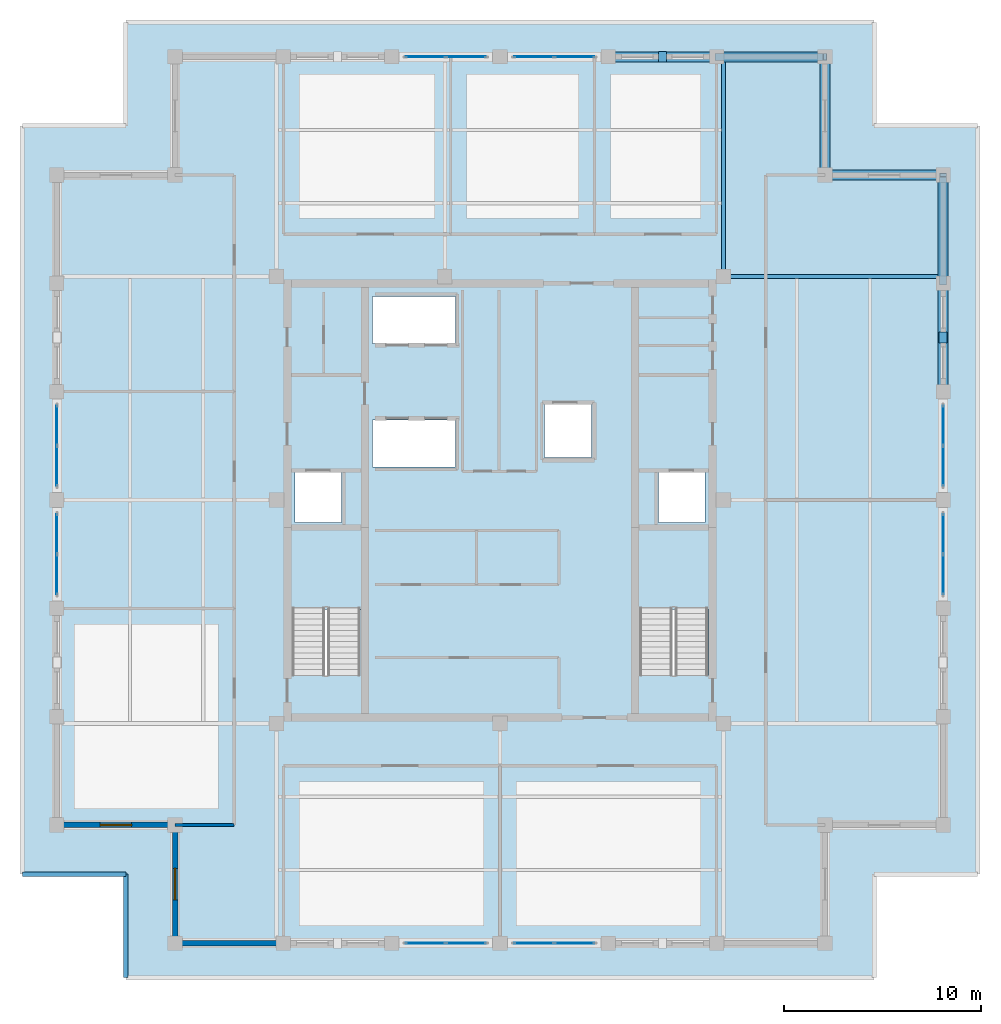
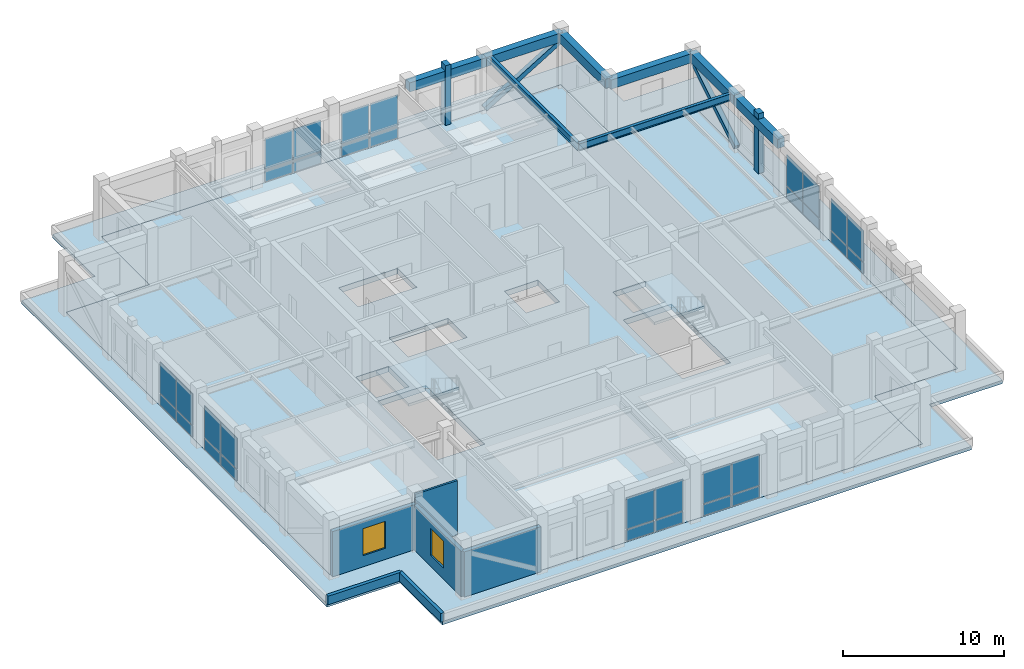
# One storey, part 6 of 13: 32 plates, 8 beams, 6 walls, 4 members, 4 slabs, 2 windows, 2 openings, 10 elements without a shape of their own.
"""IFC4 building model written with IfcOpenShell, lengths in metres."""

import ifcopenshell
import ifcopenshell.guid

model = None  # the IFC model being written
_history = None  # IfcOwnerHistory: only IFC2X3 demands one
_inside = {}  # id of a spatial element -> (the spatial element, [elements in it])
_under = {}  # id of a project, library or spatial element -> (it, [spatial elements below it])
_declared = {}  # id of a project -> (the project, [libraries it declares])
_typed = {}  # id of a type object -> (the type object, [elements of that type])
_made_of = {}  # id of a material, layer set ... -> (it, [elements and type objects made of it])


def new_model(schema):
    """Start an empty IFC model of exactly this schema.

    Asked for "IFC4X3", IfcOpenShell would pick the latest addendum, in which some entities
    have other attributes; the version numbers below select the first issue.
    IFC2X3 requires an IfcOwnerHistory on every rooted entity: one is made here for all.
    """
    global model, _history
    if schema == "IFC4X3":
        model = ifcopenshell.file(schema_version=(4, 3, 0, 0))
    else:
        model = ifcopenshell.file(schema=schema)
    _inside.clear()
    _under.clear()
    _declared.clear()
    _typed.clear()
    _made_of.clear()
    _history = None
    if model.schema == "IFC2X3":
        org = make("IfcOrganization", Name="unknown")
        user = make(
            "IfcPersonAndOrganization",
            ThePerson=make("IfcPerson", FamilyName="unknown"),
            TheOrganization=org,
        )
        app = make(
            "IfcApplication",
            ApplicationDeveloper=org,
            Version="unknown",
            ApplicationFullName="unknown",
            ApplicationIdentifier="unknown",
        )
        _history = make(
            "IfcOwnerHistory",
            OwningUser=user,
            OwningApplication=app,
            ChangeAction="ADDED",
            CreationDate=0,
        )
    return model


def make(cls, **values):
    """One entity of the class cls with the attributes given. An attribute that is None is left unset."""
    return model.create_entity(
        cls, **{name: value for name, value in values.items() if value is not None}
    )


def rooted(cls, **values):
    """An entity with a GlobalId (a new one), such as an element, a storey or a relation."""
    return make(cls, GlobalId=ifcopenshell.guid.new(), OwnerHistory=_history, **values)


def si_unit(unit_type, name, prefix=None):
    """IfcSIUnit, for example si_unit("LENGTHUNIT", "METRE", prefix="MILLI")."""
    return make("IfcSIUnit", UnitType=unit_type, Prefix=prefix, Name=name)


def assignment(units):
    """IfcUnitAssignment: the units of a project."""
    return None if units is None else make("IfcUnitAssignment", Units=units)


def point(xyz):
    """IfcCartesianPoint."""
    return None if xyz is None else make("IfcCartesianPoint", Coordinates=xyz)


def direction(xyz):
    """IfcDirection."""
    return None if xyz is None else make("IfcDirection", DirectionRatios=xyz)


def frame(location, z_axis=None, x_axis=None):
    """IfcAxis2Placement3D, a coordinate frame: its origin and axes. An axis left out is left unset."""
    return make(
        "IfcAxis2Placement3D",
        Location=point(location),
        Axis=direction(z_axis),
        RefDirection=direction(x_axis),
    )


def frame_2d(location, x_axis=None):
    """IfcAxis2Placement2D, a coordinate frame in the plane: its origin and x axis."""
    return make(
        "IfcAxis2Placement2D", Location=point(location), RefDirection=direction(x_axis)
    )


def origin():
    """The frame at (0, 0, 0) with its axes left unset."""
    return frame((0.0, 0.0, 0.0))


def origin_2d():
    """The frame at (0, 0) in the plane with its x axis left unset."""
    return frame_2d((0.0, 0.0))


def place(relative_to, where):
    """IfcLocalPlacement: puts the frame where relative to a parent placement (None: the world)."""
    return make(
        "IfcLocalPlacement", PlacementRelTo=relative_to, RelativePlacement=where
    )


def context(
    kind, dimensions, precision=None, world=None, true_north=None, identifier=None
):
    """IfcGeometricRepresentationContext, for example the 3D "Model" context."""
    return make(
        "IfcGeometricRepresentationContext",
        ContextIdentifier=identifier,
        ContextType=kind,
        CoordinateSpaceDimension=dimensions,
        Precision=precision,
        WorldCoordinateSystem=world,
        TrueNorth=true_north,
    )


def subcontext(parent, identifier, kind, view, scale=None):
    """IfcGeometricRepresentationSubContext, for example "Body" below "Model"."""
    return make(
        "IfcGeometricRepresentationSubContext",
        ContextIdentifier=identifier,
        ContextType=kind,
        ParentContext=parent,
        TargetScale=scale,
        TargetView=view,
    )


def project(units=None, contexts=None):
    """IfcProject with its units and contexts."""
    return rooted(
        "IfcProject",
        Name="project",
        RepresentationContexts=contexts,
        UnitsInContext=assignment(units),
    )


def spatial(cls, under=None, at=None, **own):
    """A site, building, storey or space (cls), placed at a placement, below another one or the project."""
    s = rooted(cls, ObjectPlacement=at, **own)
    if under is not None:
        _under.setdefault(under.id(), (under, []))[1].append(s)
    return s


def polyline(points):
    """IfcPolyline through the points."""
    return make("IfcPolyline", Points=[point(p) for p in points])


def profile(cls, at=None, kind="AREA", **sizes):
    """A parametric profile (cls). Its sizes go by their IFC names, for example OverallWidth=200.0."""
    return make(cls, ProfileType=kind, Position=at, **sizes)


def rectangle(**sizes):
    """IfcRectangleProfileDef."""
    return profile("IfcRectangleProfileDef", **sizes)


def hollow_rectangle(**sizes):
    """IfcRectangleHollowProfileDef."""
    return profile("IfcRectangleHollowProfileDef", **sizes)


def i_section(**sizes):
    """IfcIShapeProfileDef."""
    return profile("IfcIShapeProfileDef", **sizes)


def outline(outer, holes=None, kind="AREA"):
    """IfcArbitraryClosedProfileDef: a profile drawn as a closed curve; with holes, ...WithVoids."""
    if holes is None:
        return make("IfcArbitraryClosedProfileDef", ProfileType=kind, OuterCurve=outer)
    return make(
        "IfcArbitraryProfileDefWithVoids",
        ProfileType=kind,
        OuterCurve=outer,
        InnerCurves=holes,
    )


def extrude(swept, where, along, depth):
    """IfcExtrudedAreaSolid: the profile swept, set in the frame where, extruded along a direction by depth."""
    return make(
        "IfcExtrudedAreaSolid",
        SweptArea=swept,
        Position=where,
        ExtrudedDirection=direction(along),
        Depth=depth,
    )


def shape(context_of_items, identifier, shape_type, items):
    """IfcShapeRepresentation: the items that make up one representation, for example the "Body"."""
    return make(
        "IfcShapeRepresentation",
        ContextOfItems=context_of_items,
        RepresentationIdentifier=identifier,
        RepresentationType=shape_type,
        Items=items,
    )


def material(Name=None, Category=None):
    """IfcMaterial."""
    return make("IfcMaterial", Name=Name, Category=Category)


def layer(
    of_material, thickness, ventilated=None, Name=None, Category=None, Priority=None
):
    """IfcMaterialLayer: one layer of a wall or slab, of a material (None: an air gap)."""
    return make(
        "IfcMaterialLayer",
        Material=of_material,
        LayerThickness=thickness,
        IsVentilated=ventilated,
        Name=Name,
        Category=Category,
        Priority=Priority,
    )


def layer_set(layers, Name=None):
    """IfcMaterialLayerSet."""
    return make("IfcMaterialLayerSet", MaterialLayers=layers, LayerSetName=Name)


def material_profile(
    of_material, cross_section, Name=None, Category=None, Priority=None
):
    """IfcMaterialProfile: a cross section and its material."""
    return make(
        "IfcMaterialProfile",
        Name=Name,
        Material=of_material,
        Profile=cross_section,
        Priority=Priority,
        Category=Category,
    )


def profile_set(profiles, Name=None, composite=None):
    """IfcMaterialProfileSet."""
    return make(
        "IfcMaterialProfileSet",
        Name=Name,
        MaterialProfiles=profiles,
        CompositeProfile=composite,
    )


def made_of(thing, what):
    """Note that an element or type object is made of a material, layer set ...; save() writes the relation."""
    if what is not None:
        _made_of.setdefault(what.id(), (what, []))[1].append(thing)
    return thing


def type_object(cls, material=None, **own):
    """A type object (cls), such as IfcWallType, which elements share."""
    return made_of(rooted(cls, **own), material)


def element(
    cls,
    number,
    at=None,
    inside=None,
    cuts=None,
    type_object=None,
    material=None,
    context=None,
    identifier="Body",
    shape_type=None,
    held_by="IfcProductDefinitionShape",
    body=None,
    shapes=None,
    **own,
):
    """One element of the class cls, such as IfcWall. Its Tag is "e" and its number.

    at: its placement. inside: the storey or other place that contains it. cuts: it is an
    opening in that element (IfcRelVoidsElement). A single representation is given by context,
    identifier, shape_type and body (its items); several are given by shapes. held_by: the class
    of the entity that holds the representations. save() writes the other relations.
    """
    e = rooted(cls, Tag="e%d" % number, ObjectPlacement=at, **own)
    if body is not None:
        shapes = [shape(context, identifier, shape_type, body)]
    if shapes is not None:
        e.Representation = make(held_by, Representations=shapes)
    if inside is not None:
        _inside.setdefault(inside.id(), (inside, []))[1].append(e)
    if cuts is not None:
        rooted(
            "IfcRelVoidsElement", RelatingBuildingElement=cuts, RelatedOpeningElement=e
        )
    if type_object is not None:
        _typed.setdefault(type_object.id(), (type_object, []))[1].append(e)
    return made_of(e, material)


def fill(opening, filler):
    """IfcRelFillsElement: the door or window that sits in an opening."""
    return rooted(
        "IfcRelFillsElement",
        RelatingOpeningElement=opening,
        RelatedBuildingElement=filler,
    )


def aggregate(whole, parts):
    """IfcRelAggregates: a whole, such as a stair, and the parts it consists of."""
    return rooted("IfcRelAggregates", RelatingObject=whole, RelatedObjects=parts)


def save(model, path):
    """Write the relations noted so far, then the file.

    IfcRelAggregates (storeys below a building ...), IfcRelContainedInSpatialStructure (elements
    in a storey), IfcRelDefinesByType, IfcRelAssociatesMaterial and IfcRelDeclares: one each for
    every whole, place, type object, material and project.
    """
    for whole, parts in _under.values():
        aggregate(whole, parts)
    for where, things in _inside.values():
        rooted(
            "IfcRelContainedInSpatialStructure",
            RelatedElements=things,
            RelatingStructure=where,
        )
    for kind, things in _typed.values():
        rooted("IfcRelDefinesByType", RelatedObjects=things, RelatingType=kind)
    for what, things in _made_of.values():
        rooted("IfcRelAssociatesMaterial", RelatedObjects=things, RelatingMaterial=what)
    for by, libraries in _declared.values():
        rooted("IfcRelDeclares", RelatingContext=by, RelatedDefinitions=libraries)
    model.write(path)


model = new_model("IFC4")

# Units and contexts
model_context = context("Model", 3, precision=1e-05, world=origin(), true_north=direction((0.0, 1.0)))
body_context = subcontext(model_context, "Body", "Model", "MODEL_VIEW")
ifc_project = project(units=[si_unit("LENGTHUNIT", "METRE"), si_unit("AREAUNIT", "SQUARE_METRE"), si_unit("VOLUMEUNIT", "CUBIC_METRE"), si_unit("PLANEANGLEUNIT", "RADIAN"), si_unit("MASSUNIT", "GRAM", prefix="KILO")], contexts=[model_context])

# Site, building, storey
site_placement = place(None, origin())
site = spatial("IfcSite", under=ifc_project, at=site_placement, CompositionType="ELEMENT")
building_placement = place(site_placement, origin())
building = spatial("IfcBuilding", under=site, at=building_placement, Name="Nhamokura Convention Tower", CompositionType="ELEMENT")
storey_placement = place(building_placement, frame((0.0, 0.0, 257.60009765625)))
storey = spatial("IfcBuildingStorey", under=building, at=storey_placement, Name="L63", CompositionType="ELEMENT", Elevation=257.60009765625)

# Members
ifc_material_1 = material(Name="Bronze-pigmented precast concrete C45/55", Category="concrete")
ifc_material_profile_1 = material_profile(ifc_material_1, rectangle(XDim=0.39990234375, YDim=0.550048828125, at=origin_2d()))
ifc_profile_set_1 = profile_set([ifc_material_profile_1], Name="Bronze-pigmented precast concrete C45/55")
member_type_1 = type_object("IfcMemberType", Name="BronzePilaster_550", PredefinedType="USERDEFINED", material=ifc_profile_set_1)
for number, where, z_axis, x_axis, name in (
    (1, (40.25, 54.5, 0.0), (0.0, 0.0, 1.0), (1.0, 0.0, 0.0), "L63 Engaged Frame Pilaster NORTH 4"),
    (2, (54.5, 40.25, 0.0), (0.0, 0.0, 1.0), (1.0, 0.0, 0.0), "L63 Engaged Frame Pilaster EAST 4"),
):
    element("IfcMember", number, at=place(storey_placement, frame(where, z_axis=z_axis, x_axis=x_axis)), inside=storey, type_object=member_type_1, Name=name, ObjectType="PILASTER_TRIM", PredefinedType="USERDEFINED", context=body_context, shape_type="SweptSolid", body=[
        extrude(rectangle(XDim=0.39990234375, YDim=0.550048828125, at=origin_2d()), origin(), (0.0, 0.0, 1.0), 4.5498046875),
    ])

# Beams
ifc_material_2 = material(Name="Steel ASTM A992 Gr 50", Category="steel")
ifc_material_profile_2 = material_profile(ifc_material_2, i_section(OverallWidth=0.208984375, OverallDepth=0.532958984375, WebThickness=0.01025390625, FlangeThickness=0.015625, at=origin_2d()))
ifc_profile_set_2 = profile_set([ifc_material_profile_2], Name="Steel ASTM A992 Gr 50")
beam_type_1 = type_object("IfcBeamType", Name="PrimaryGirder_W530X92", PredefinedType="BEAM", material=ifc_profile_set_2)
for number, where, z_axis, x_axis, name in (
    (3, (43.35009765625, 43.35009765625, 3.86328125), (0.0, 1.0, 0.0), (-1.0, 0.0, 0.0), "L63 Primary Floor Girder PG-N3"),
    (4, (43.35009765625, 43.35009765625, 3.86328125), (1.0, 0.0, 0.0), (0.0, 1.0, 0.0), "L63 Primary Floor Girder PG-E3"),
):
    element("IfcBeam", number, at=place(storey_placement, frame(where, z_axis=z_axis, x_axis=x_axis)), inside=storey, type_object=beam_type_1, Name=name, PredefinedType="BEAM", context=body_context, shape_type="SweptSolid", body=[
        extrude(i_section(OverallWidth=0.208984375, OverallDepth=0.532958984375, WebThickness=0.01025390625, FlangeThickness=0.015625, at=origin_2d()), origin(), (0.0, 0.0, 1.0), 11.14990234375),
    ])

# Members
ifc_material_3 = material(Name="Steel ASTM A572 Gr 50", Category="steel")
ifc_material_profile_3 = material_profile(ifc_material_3, hollow_rectangle(XDim=0.35009765625, YDim=0.35009765625, WallThickness=0.01611328125, at=origin_2d()))
ifc_profile_set_3 = profile_set([ifc_material_profile_3], Name="Steel ASTM A572 Gr 50")
member_type_2 = type_object("IfcMemberType", Name="TubeBrace_HSS350", PredefinedType="BRACE", material=ifc_profile_set_3)
for number, where, z_axis, x_axis, name in (
    (5, (43.0, 54.5, 0.14990234375), (0.855422163268, 0.0, 0.517931387916), (0.0, 1.0, 0.0), "L63 Perimeter Tube Brace NORTH Bay 5"),
    (6, (54.5, 43.0, 0.14990234375), (0.0, 0.855422163268, 0.517931387916), (-1.0, 0.0, 0.0), "L63 Perimeter Tube Brace EAST Bay 5"),
):
    element("IfcMember", number, at=place(storey_placement, frame(where, z_axis=z_axis, x_axis=x_axis)), inside=storey, type_object=member_type_2, Name=name, PredefinedType="BRACE", context=body_context, shape_type="SweptSolid", body=[
        extrude(hollow_rectangle(XDim=0.35009765625, YDim=0.35009765625, WallThickness=0.01611328125, at=origin_2d()), origin(), (0.0, 0.0, 1.0), 6.4296875),
    ])

# Beams
ifc_material_4 = material(Name="Concrete C50/60", Category="concrete")
ifc_material_profile_4 = material_profile(ifc_material_4, rectangle(XDim=0.5, YDim=0.699951171875, at=origin_2d()))
ifc_profile_set_4 = profile_set([ifc_material_profile_4], Name="Concrete C50/60")
beam_type_2 = type_object("IfcBeamType", Name="TubeSpandrel_700", PredefinedType="SPANDREL", material=ifc_profile_set_4)
for number, where, z_axis, x_axis, name in (
    (7, (37.5, 54.5, 3.77978515625), (1.0, 0.0, 0.0), (0.0, 1.0, 0.0), "L63 Perimeter Spandrel NORTH 5"),
    (8, (43.0, 54.5, 3.77978515625), (1.0, 0.0, 0.0), (0.0, 1.0, 0.0), "L63 Perimeter Spandrel NORTH 6"),
    (9, (54.5, 37.5, 3.77978515625), (0.0, 1.0, 0.0), (-1.0, 0.0, 0.0), "L63 Perimeter Spandrel EAST 5"),
    (10, (54.5, 43.0, 3.77978515625), (0.0, 1.0, 0.0), (-1.0, 0.0, 0.0), "L63 Perimeter Spandrel EAST 6"),
):
    element("IfcBeam", number, at=place(storey_placement, frame(where, z_axis=z_axis, x_axis=x_axis)), inside=storey, type_object=beam_type_2, Name=name, PredefinedType="SPANDREL", context=body_context, shape_type="SweptSolid", body=[
        extrude(rectangle(XDim=0.5, YDim=0.699951171875, at=origin_2d()), origin(), (0.0, 0.0, 1.0), 5.5),
    ])
for number, where, z_axis, x_axis, name in (
    (11, (54.5, 48.5, 3.77978515625), (-1.0, 0.0, 0.0), (0.0, -1.0, 0.0), "L63 Notch Spandrel NE1"),
    (12, (48.5, 48.5, 3.77978515625), (0.0, 1.0, 0.0), (-1.0, 0.0, 0.0), "L63 Notch Spandrel NE2"),
):
    element("IfcBeam", number, at=place(storey_placement, frame(where, z_axis=z_axis, x_axis=x_axis)), inside=storey, type_object=beam_type_2, Name=name, PredefinedType="SPANDREL", context=body_context, shape_type="SweptSolid", body=[
        extrude(rectangle(XDim=0.5, YDim=0.699951171875, at=origin_2d()), origin(), (0.0, 0.0, 1.0), 6.0),
    ])

# Curtain wall, plates
ifc_material_5 = material(Name="Anodised bronze aluminium AA6063-T6", Category="aluminium")
ifc_layer_1 = layer(ifc_material_5, 0.18994140625)
ifc_layer_set_1 = layer_set([ifc_layer_1], Name="CWSystem_SkyLobby")
curtain_wall_type = type_object("IfcCurtainWallType", Name="CWSystem_SkyLobby", PredefinedType="NOTDEFINED", material=ifc_layer_set_1)
curtain_wall_1_placement = place(storey_placement, origin())
curtain_wall_1 = element("IfcCurtainWall", 13, at=curtain_wall_1_placement, inside=storey, type_object=curtain_wall_type, Name="L63 Curtain Wall ENV-L63-CW-S2", PredefinedType="NOTDEFINED")
ifc_material_6 = material(Name="Solar-control bronze low-E double glass", Category="glass")
ifc_layer_2 = layer(ifc_material_6, 0.0400390625)
ifc_layer_set_2 = layer_set([ifc_layer_2], Name="CWGlazedPanel_3")
plate_type = type_object("IfcPlateType", Name="CWGlazedPanel_3", PredefinedType="CURTAIN_PANEL", material=ifc_layer_set_2)
plate_1_placement = place(storey_placement, frame((30.28125, 9.5, 0.074951171875), z_axis=(0.0, 0.0, 1.0), x_axis=(-1.0, 0.0, 0.0)))
plate_1 = element("IfcPlate", 14, at=plate_1_placement, type_object=plate_type, Name="CW-06 panel 1.1", PredefinedType="CURTAIN_PANEL", context=body_context, shape_type="SweptSolid", body=[
    extrude(rectangle(XDim=1.987548828125, YDim=0.0400390625, at=origin_2d()), origin(), (0.0, 0.0, 1.0), 0.83740234375),
])
plate_2_placement = place(storey_placement, frame((30.28125, 9.5, 0.9873046875), z_axis=(0.0, 0.0, 1.0), x_axis=(-1.0, 0.0, 0.0)))
plate_2 = element("IfcPlate", 15, at=plate_2_placement, type_object=plate_type, Name="CW-06 panel 1.2", PredefinedType="CURTAIN_PANEL", context=body_context, shape_type="SweptSolid", body=[
    extrude(rectangle(XDim=1.987548828125, YDim=0.0400390625, at=origin_2d()), origin(), (0.0, 0.0, 1.0), 2.367431640625),
])
plate_3_placement = place(storey_placement, frame((28.21875, 9.5, 0.074951171875), z_axis=(0.0, 0.0, 1.0), x_axis=(-1.0, 0.0, 0.0)))
plate_3 = element("IfcPlate", 16, at=plate_3_placement, type_object=plate_type, Name="CW-06 panel 2.1", PredefinedType="CURTAIN_PANEL", context=body_context, shape_type="SweptSolid", body=[
    extrude(rectangle(XDim=1.987548828125, YDim=0.0400390625, at=origin_2d()), origin(), (0.0, 0.0, 1.0), 0.83740234375),
])
plate_4_placement = place(storey_placement, frame((28.21875, 9.5, 0.9873046875), z_axis=(0.0, 0.0, 1.0), x_axis=(-1.0, 0.0, 0.0)))
plate_4 = element("IfcPlate", 17, at=plate_4_placement, type_object=plate_type, Name="CW-06 panel 2.2", PredefinedType="CURTAIN_PANEL", context=body_context, shape_type="SweptSolid", body=[
    extrude(rectangle(XDim=1.987548828125, YDim=0.0400390625, at=origin_2d()), origin(), (0.0, 0.0, 1.0), 2.367431640625),
])
aggregate(curtain_wall_1, [plate_1, plate_2, plate_3, plate_4])

curtain_wall_2_placement = place(storey_placement, origin())
curtain_wall_2 = element("IfcCurtainWall", 18, at=curtain_wall_2_placement, inside=storey, type_object=curtain_wall_type, Name="L63 Curtain Wall ENV-L63-CW-S3", PredefinedType="NOTDEFINED")
plate_5_placement = place(storey_placement, frame((35.78125, 9.5, 0.074951171875), z_axis=(0.0, 0.0, 1.0), x_axis=(-1.0, 0.0, 0.0)))
plate_5 = element("IfcPlate", 19, at=plate_5_placement, type_object=plate_type, Name="CW-06 panel 1.1", PredefinedType="CURTAIN_PANEL", context=body_context, shape_type="SweptSolid", body=[
    extrude(rectangle(XDim=1.987548828125, YDim=0.0400390625, at=origin_2d()), origin(), (0.0, 0.0, 1.0), 0.83740234375),
])
plate_6_placement = place(storey_placement, frame((35.78125, 9.5, 0.9873046875), z_axis=(0.0, 0.0, 1.0), x_axis=(-1.0, 0.0, 0.0)))
plate_6 = element("IfcPlate", 20, at=plate_6_placement, type_object=plate_type, Name="CW-06 panel 1.2", PredefinedType="CURTAIN_PANEL", context=body_context, shape_type="SweptSolid", body=[
    extrude(rectangle(XDim=1.987548828125, YDim=0.0400390625, at=origin_2d()), origin(), (0.0, 0.0, 1.0), 2.367431640625),
])
plate_7_placement = place(storey_placement, frame((33.71875, 9.5, 0.074951171875), z_axis=(0.0, 0.0, 1.0), x_axis=(-1.0, 0.0, 0.0)))
plate_7 = element("IfcPlate", 21, at=plate_7_placement, type_object=plate_type, Name="CW-06 panel 2.1", PredefinedType="CURTAIN_PANEL", context=body_context, shape_type="SweptSolid", body=[
    extrude(rectangle(XDim=1.987548828125, YDim=0.0400390625, at=origin_2d()), origin(), (0.0, 0.0, 1.0), 0.83740234375),
])
plate_8_placement = place(storey_placement, frame((33.71875, 9.5, 0.9873046875), z_axis=(0.0, 0.0, 1.0), x_axis=(-1.0, 0.0, 0.0)))
plate_8 = element("IfcPlate", 22, at=plate_8_placement, type_object=plate_type, Name="CW-06 panel 2.2", PredefinedType="CURTAIN_PANEL", context=body_context, shape_type="SweptSolid", body=[
    extrude(rectangle(XDim=1.987548828125, YDim=0.0400390625, at=origin_2d()), origin(), (0.0, 0.0, 1.0), 2.367431640625),
])
aggregate(curtain_wall_2, [plate_5, plate_6, plate_7, plate_8])

curtain_wall_3_placement = place(storey_placement, origin())
curtain_wall_3 = element("IfcCurtainWall", 23, at=curtain_wall_3_placement, inside=storey, type_object=curtain_wall_type, Name="L63 Curtain Wall ENV-L63-CW-N2", PredefinedType="NOTDEFINED")
plate_9_placement = place(storey_placement, frame((28.21875, 54.5, 0.074951171875), z_axis=(0.0, 0.0, 1.0), x_axis=(1.0, 0.0, 0.0)))
plate_9 = element("IfcPlate", 24, at=plate_9_placement, type_object=plate_type, Name="CW-06 panel 1.1", PredefinedType="CURTAIN_PANEL", context=body_context, shape_type="SweptSolid", body=[
    extrude(rectangle(XDim=1.987548828125, YDim=0.0400390625, at=origin_2d()), origin(), (0.0, 0.0, 1.0), 0.83740234375),
])
plate_10_placement = place(storey_placement, frame((28.21875, 54.5, 0.9873046875), z_axis=(0.0, 0.0, 1.0), x_axis=(1.0, 0.0, 0.0)))
plate_10 = element("IfcPlate", 25, at=plate_10_placement, type_object=plate_type, Name="CW-06 panel 1.2", PredefinedType="CURTAIN_PANEL", context=body_context, shape_type="SweptSolid", body=[
    extrude(rectangle(XDim=1.987548828125, YDim=0.0400390625, at=origin_2d()), origin(), (0.0, 0.0, 1.0), 2.367431640625),
])
plate_11_placement = place(storey_placement, frame((30.28125, 54.5, 0.074951171875), z_axis=(0.0, 0.0, 1.0), x_axis=(1.0, 0.0, 0.0)))
plate_11 = element("IfcPlate", 26, at=plate_11_placement, type_object=plate_type, Name="CW-06 panel 2.1", PredefinedType="CURTAIN_PANEL", context=body_context, shape_type="SweptSolid", body=[
    extrude(rectangle(XDim=1.987548828125, YDim=0.0400390625, at=origin_2d()), origin(), (0.0, 0.0, 1.0), 0.83740234375),
])
plate_12_placement = place(storey_placement, frame((30.28125, 54.5, 0.9873046875), z_axis=(0.0, 0.0, 1.0), x_axis=(1.0, 0.0, 0.0)))
plate_12 = element("IfcPlate", 27, at=plate_12_placement, type_object=plate_type, Name="CW-06 panel 2.2", PredefinedType="CURTAIN_PANEL", context=body_context, shape_type="SweptSolid", body=[
    extrude(rectangle(XDim=1.987548828125, YDim=0.0400390625, at=origin_2d()), origin(), (0.0, 0.0, 1.0), 2.367431640625),
])
aggregate(curtain_wall_3, [plate_9, plate_10, plate_11, plate_12])

curtain_wall_4_placement = place(storey_placement, origin())
curtain_wall_4 = element("IfcCurtainWall", 28, at=curtain_wall_4_placement, inside=storey, type_object=curtain_wall_type, Name="L63 Curtain Wall ENV-L63-CW-N3", PredefinedType="NOTDEFINED")
plate_13_placement = place(storey_placement, frame((33.71875, 54.5, 0.074951171875), z_axis=(0.0, 0.0, 1.0), x_axis=(1.0, 0.0, 0.0)))
plate_13 = element("IfcPlate", 29, at=plate_13_placement, type_object=plate_type, Name="CW-06 panel 1.1", PredefinedType="CURTAIN_PANEL", context=body_context, shape_type="SweptSolid", body=[
    extrude(rectangle(XDim=1.987548828125, YDim=0.0400390625, at=origin_2d()), origin(), (0.0, 0.0, 1.0), 0.83740234375),
])
plate_14_placement = place(storey_placement, frame((33.71875, 54.5, 0.9873046875), z_axis=(0.0, 0.0, 1.0), x_axis=(1.0, 0.0, 0.0)))
plate_14 = element("IfcPlate", 30, at=plate_14_placement, type_object=plate_type, Name="CW-06 panel 1.2", PredefinedType="CURTAIN_PANEL", context=body_context, shape_type="SweptSolid", body=[
    extrude(rectangle(XDim=1.987548828125, YDim=0.0400390625, at=origin_2d()), origin(), (0.0, 0.0, 1.0), 2.367431640625),
])
plate_15_placement = place(storey_placement, frame((35.78125, 54.5, 0.074951171875), z_axis=(0.0, 0.0, 1.0), x_axis=(1.0, 0.0, 0.0)))
plate_15 = element("IfcPlate", 31, at=plate_15_placement, type_object=plate_type, Name="CW-06 panel 2.1", PredefinedType="CURTAIN_PANEL", context=body_context, shape_type="SweptSolid", body=[
    extrude(rectangle(XDim=1.987548828125, YDim=0.0400390625, at=origin_2d()), origin(), (0.0, 0.0, 1.0), 0.83740234375),
])
plate_16_placement = place(storey_placement, frame((35.78125, 54.5, 0.9873046875), z_axis=(0.0, 0.0, 1.0), x_axis=(1.0, 0.0, 0.0)))
plate_16 = element("IfcPlate", 32, at=plate_16_placement, type_object=plate_type, Name="CW-06 panel 2.2", PredefinedType="CURTAIN_PANEL", context=body_context, shape_type="SweptSolid", body=[
    extrude(rectangle(XDim=1.987548828125, YDim=0.0400390625, at=origin_2d()), origin(), (0.0, 0.0, 1.0), 2.367431640625),
])
aggregate(curtain_wall_4, [plate_13, plate_14, plate_15, plate_16])

curtain_wall_5_placement = place(storey_placement, origin())
curtain_wall_5 = element("IfcCurtainWall", 33, at=curtain_wall_5_placement, inside=storey, type_object=curtain_wall_type, Name="L63 Curtain Wall ENV-L63-CW-W2", PredefinedType="NOTDEFINED")
plate_17_placement = place(storey_placement, frame((9.5, 28.21875, 0.074951171875), z_axis=(0.0, 0.0, 1.0), x_axis=(0.0, 1.0, 0.0)))
plate_17 = element("IfcPlate", 34, at=plate_17_placement, type_object=plate_type, Name="CW-06 panel 1.1", PredefinedType="CURTAIN_PANEL", context=body_context, shape_type="SweptSolid", body=[
    extrude(rectangle(XDim=1.987548828125, YDim=0.0400390625, at=origin_2d()), origin(), (0.0, 0.0, 1.0), 0.83740234375),
])
plate_18_placement = place(storey_placement, frame((9.5, 28.21875, 0.9873046875), z_axis=(0.0, 0.0, 1.0), x_axis=(0.0, 1.0, 0.0)))
plate_18 = element("IfcPlate", 35, at=plate_18_placement, type_object=plate_type, Name="CW-06 panel 1.2", PredefinedType="CURTAIN_PANEL", context=body_context, shape_type="SweptSolid", body=[
    extrude(rectangle(XDim=1.987548828125, YDim=0.0400390625, at=origin_2d()), origin(), (0.0, 0.0, 1.0), 2.367431640625),
])
plate_19_placement = place(storey_placement, frame((9.5, 30.28125, 0.074951171875), z_axis=(0.0, 0.0, 1.0), x_axis=(0.0, 1.0, 0.0)))
plate_19 = element("IfcPlate", 36, at=plate_19_placement, type_object=plate_type, Name="CW-06 panel 2.1", PredefinedType="CURTAIN_PANEL", context=body_context, shape_type="SweptSolid", body=[
    extrude(rectangle(XDim=1.987548828125, YDim=0.0400390625, at=origin_2d()), origin(), (0.0, 0.0, 1.0), 0.83740234375),
])
plate_20_placement = place(storey_placement, frame((9.5, 30.28125, 0.9873046875), z_axis=(0.0, 0.0, 1.0), x_axis=(0.0, 1.0, 0.0)))
plate_20 = element("IfcPlate", 37, at=plate_20_placement, type_object=plate_type, Name="CW-06 panel 2.2", PredefinedType="CURTAIN_PANEL", context=body_context, shape_type="SweptSolid", body=[
    extrude(rectangle(XDim=1.987548828125, YDim=0.0400390625, at=origin_2d()), origin(), (0.0, 0.0, 1.0), 2.367431640625),
])
aggregate(curtain_wall_5, [plate_17, plate_18, plate_19, plate_20])

curtain_wall_6_placement = place(storey_placement, origin())
curtain_wall_6 = element("IfcCurtainWall", 38, at=curtain_wall_6_placement, inside=storey, type_object=curtain_wall_type, Name="L63 Curtain Wall ENV-L63-CW-W3", PredefinedType="NOTDEFINED")
plate_21_placement = place(storey_placement, frame((9.5, 33.71875, 0.074951171875), z_axis=(0.0, 0.0, 1.0), x_axis=(0.0, 1.0, 0.0)))
plate_21 = element("IfcPlate", 39, at=plate_21_placement, type_object=plate_type, Name="CW-06 panel 1.1", PredefinedType="CURTAIN_PANEL", context=body_context, shape_type="SweptSolid", body=[
    extrude(rectangle(XDim=1.987548828125, YDim=0.0400390625, at=origin_2d()), origin(), (0.0, 0.0, 1.0), 0.83740234375),
])
plate_22_placement = place(storey_placement, frame((9.5, 33.71875, 0.9873046875), z_axis=(0.0, 0.0, 1.0), x_axis=(0.0, 1.0, 0.0)))
plate_22 = element("IfcPlate", 40, at=plate_22_placement, type_object=plate_type, Name="CW-06 panel 1.2", PredefinedType="CURTAIN_PANEL", context=body_context, shape_type="SweptSolid", body=[
    extrude(rectangle(XDim=1.987548828125, YDim=0.0400390625, at=origin_2d()), origin(), (0.0, 0.0, 1.0), 2.367431640625),
])
plate_23_placement = place(storey_placement, frame((9.5, 35.78125, 0.074951171875), z_axis=(0.0, 0.0, 1.0), x_axis=(0.0, 1.0, 0.0)))
plate_23 = element("IfcPlate", 41, at=plate_23_placement, type_object=plate_type, Name="CW-06 panel 2.1", PredefinedType="CURTAIN_PANEL", context=body_context, shape_type="SweptSolid", body=[
    extrude(rectangle(XDim=1.987548828125, YDim=0.0400390625, at=origin_2d()), origin(), (0.0, 0.0, 1.0), 0.83740234375),
])
plate_24_placement = place(storey_placement, frame((9.5, 35.78125, 0.9873046875), z_axis=(0.0, 0.0, 1.0), x_axis=(0.0, 1.0, 0.0)))
plate_24 = element("IfcPlate", 42, at=plate_24_placement, type_object=plate_type, Name="CW-06 panel 2.2", PredefinedType="CURTAIN_PANEL", context=body_context, shape_type="SweptSolid", body=[
    extrude(rectangle(XDim=1.987548828125, YDim=0.0400390625, at=origin_2d()), origin(), (0.0, 0.0, 1.0), 2.367431640625),
])
aggregate(curtain_wall_6, [plate_21, plate_22, plate_23, plate_24])

curtain_wall_7_placement = place(storey_placement, origin())
curtain_wall_7 = element("IfcCurtainWall", 43, at=curtain_wall_7_placement, inside=storey, type_object=curtain_wall_type, Name="L63 Curtain Wall ENV-L63-CW-E2", PredefinedType="NOTDEFINED")
plate_25_placement = place(storey_placement, frame((54.5, 30.28125, 0.074951171875), z_axis=(0.0, 0.0, 1.0), x_axis=(0.0, -1.0, 0.0)))
plate_25 = element("IfcPlate", 44, at=plate_25_placement, type_object=plate_type, Name="CW-06 panel 1.1", PredefinedType="CURTAIN_PANEL", context=body_context, shape_type="SweptSolid", body=[
    extrude(rectangle(XDim=1.987548828125, YDim=0.0400390625, at=origin_2d()), origin(), (0.0, 0.0, 1.0), 0.83740234375),
])
plate_26_placement = place(storey_placement, frame((54.5, 30.28125, 0.9873046875), z_axis=(0.0, 0.0, 1.0), x_axis=(0.0, -1.0, 0.0)))
plate_26 = element("IfcPlate", 45, at=plate_26_placement, type_object=plate_type, Name="CW-06 panel 1.2", PredefinedType="CURTAIN_PANEL", context=body_context, shape_type="SweptSolid", body=[
    extrude(rectangle(XDim=1.987548828125, YDim=0.0400390625, at=origin_2d()), origin(), (0.0, 0.0, 1.0), 2.367431640625),
])
plate_27_placement = place(storey_placement, frame((54.5, 28.21875, 0.074951171875), z_axis=(0.0, 0.0, 1.0), x_axis=(0.0, -1.0, 0.0)))
plate_27 = element("IfcPlate", 46, at=plate_27_placement, type_object=plate_type, Name="CW-06 panel 2.1", PredefinedType="CURTAIN_PANEL", context=body_context, shape_type="SweptSolid", body=[
    extrude(rectangle(XDim=1.987548828125, YDim=0.0400390625, at=origin_2d()), origin(), (0.0, 0.0, 1.0), 0.83740234375),
])
plate_28_placement = place(storey_placement, frame((54.5, 28.21875, 0.9873046875), z_axis=(0.0, 0.0, 1.0), x_axis=(0.0, -1.0, 0.0)))
plate_28 = element("IfcPlate", 47, at=plate_28_placement, type_object=plate_type, Name="CW-06 panel 2.2", PredefinedType="CURTAIN_PANEL", context=body_context, shape_type="SweptSolid", body=[
    extrude(rectangle(XDim=1.987548828125, YDim=0.0400390625, at=origin_2d()), origin(), (0.0, 0.0, 1.0), 2.367431640625),
])
aggregate(curtain_wall_7, [plate_25, plate_26, plate_27, plate_28])

curtain_wall_8_placement = place(storey_placement, origin())
curtain_wall_8 = element("IfcCurtainWall", 48, at=curtain_wall_8_placement, inside=storey, type_object=curtain_wall_type, Name="L63 Curtain Wall ENV-L63-CW-E3", PredefinedType="NOTDEFINED")
plate_29_placement = place(storey_placement, frame((54.5, 35.78125, 0.074951171875), z_axis=(0.0, 0.0, 1.0), x_axis=(0.0, -1.0, 0.0)))
plate_29 = element("IfcPlate", 49, at=plate_29_placement, type_object=plate_type, Name="CW-06 panel 1.1", PredefinedType="CURTAIN_PANEL", context=body_context, shape_type="SweptSolid", body=[
    extrude(rectangle(XDim=1.987548828125, YDim=0.0400390625, at=origin_2d()), origin(), (0.0, 0.0, 1.0), 0.83740234375),
])
plate_30_placement = place(storey_placement, frame((54.5, 35.78125, 0.9873046875), z_axis=(0.0, 0.0, 1.0), x_axis=(0.0, -1.0, 0.0)))
plate_30 = element("IfcPlate", 50, at=plate_30_placement, type_object=plate_type, Name="CW-06 panel 1.2", PredefinedType="CURTAIN_PANEL", context=body_context, shape_type="SweptSolid", body=[
    extrude(rectangle(XDim=1.987548828125, YDim=0.0400390625, at=origin_2d()), origin(), (0.0, 0.0, 1.0), 2.367431640625),
])
plate_31_placement = place(storey_placement, frame((54.5, 33.71875, 0.074951171875), z_axis=(0.0, 0.0, 1.0), x_axis=(0.0, -1.0, 0.0)))
plate_31 = element("IfcPlate", 51, at=plate_31_placement, type_object=plate_type, Name="CW-06 panel 2.1", PredefinedType="CURTAIN_PANEL", context=body_context, shape_type="SweptSolid", body=[
    extrude(rectangle(XDim=1.987548828125, YDim=0.0400390625, at=origin_2d()), origin(), (0.0, 0.0, 1.0), 0.83740234375),
])
plate_32_placement = place(storey_placement, frame((54.5, 33.71875, 0.9873046875), z_axis=(0.0, 0.0, 1.0), x_axis=(0.0, -1.0, 0.0)))
plate_32 = element("IfcPlate", 52, at=plate_32_placement, type_object=plate_type, Name="CW-06 panel 2.2", PredefinedType="CURTAIN_PANEL", context=body_context, shape_type="SweptSolid", body=[
    extrude(rectangle(XDim=1.987548828125, YDim=0.0400390625, at=origin_2d()), origin(), (0.0, 0.0, 1.0), 2.367431640625),
])
aggregate(curtain_wall_8, [plate_29, plate_30, plate_31, plate_32])

# Stair, slab
ifc_material_7 = material(Name="Concrete C40/50", Category="concrete")
stair_type = type_object("IfcStairType", Name="TowerCoreStair_1650", PredefinedType="HALF_TURN_STAIR", material=ifc_material_7)
stair_1_placement = place(storey_placement, origin())
stair_1 = element("IfcStair", 53, at=stair_1_placement, inside=storey, type_object=stair_type, Name="L63 West Core Smokeproof Stair ST-01", PredefinedType="HALF_TURN_STAIR")
ifc_material_8 = material(Name="Concrete C40/50", Category="concrete")
ifc_layer_3 = layer(ifc_material_8, 0.199951171875)
ifc_layer_set_3 = layer_set([ifc_layer_3], Name="StairLandingSlab_200")
slab_type_1 = type_object("IfcSlabType", Name="StairLandingSlab_200", PredefinedType="LANDING", material=ifc_layer_set_3)
slab_1_placement = place(storey_placement, frame((0.0, 0.0, 2.074951171875)))
slab_1 = element("IfcSlab", 54, at=slab_1_placement, type_object=slab_type_1, Name="ST-01 landing 1", PredefinedType="LANDING", context=body_context, shape_type="SweptSolid", body=[
    extrude(outline(polyline([(24.97998046875, 26.43994140625), (24.97998046875, 30.530029296875), (21.3701171875, 30.530029296875), (21.3701171875, 26.43994140625), (24.97998046875, 26.43994140625)])), origin(), (0.0, 0.0, 1.0), 0.199951171875),
])
aggregate(stair_1, [slab_1])

stair_2_placement = place(storey_placement, origin())
stair_2 = element("IfcStair", 55, at=stair_2_placement, inside=storey, type_object=stair_type, Name="L63 East Core Smokeproof Stair ST-02", PredefinedType="HALF_TURN_STAIR")
slab_2_placement = place(storey_placement, frame((0.0, 0.0, 2.074951171875)))
slab_2 = element("IfcSlab", 56, at=slab_2_placement, type_object=slab_type_1, Name="ST-02 landing 1", PredefinedType="LANDING", context=body_context, shape_type="SweptSolid", body=[
    extrude(outline(polyline([(42.6298828125, 26.43994140625), (42.6298828125, 30.530029296875), (39.02001953125, 30.530029296875), (39.02001953125, 26.43994140625), (42.6298828125, 26.43994140625)])), origin(), (0.0, 0.0, 1.0), 0.199951171875),
])
aggregate(stair_2, [slab_2])

# Slabs
ifc_material_9 = material(Name="Concrete C40/50", Category="concrete")
ifc_layer_4 = layer(ifc_material_9, 0.25)
ifc_layer_set_4 = layer_set([ifc_layer_4], Name="TerraceRoofSlab_250")
slab_type_2 = type_object("IfcSlabType", Name="TerraceRoofSlab_250", PredefinedType="ROOF", material=ifc_layer_set_4)
slab_3_placement = place(storey_placement, frame((0.0, 0.0, -0.25)))
element("IfcSlab", 57, at=slab_3_placement, inside=storey, type_object=slab_type_2, Name="L63 Setback Terrace Roof Slab", PredefinedType="ROOF", context=body_context, shape_type="SweptSolid", body=[
    extrude(outline(polyline([(13.0, 7.75), (51.0, 7.75), (51.0, 13.0), (56.25, 13.0), (56.25, 51.0), (51.0, 51.0), (51.0, 56.25), (13.0, 56.25), (13.0, 51.0), (7.75, 51.0), (7.75, 13.0), (13.0, 13.0), (13.0, 7.75)]), holes=[polyline([(15.5, 9.5), (48.5, 9.5), (48.5, 15.5), (54.5, 15.5), (54.5, 48.5), (48.5, 48.5), (48.5, 54.5), (15.5, 54.5), (15.5, 48.5), (9.5, 48.5), (9.5, 15.5), (15.5, 15.5), (15.5, 9.5)])]), origin(), (0.0, 0.0, 1.0), 0.25),
])
ifc_material_10 = material(Name="Concrete C50/60", Category="concrete")
ifc_layer_5 = layer(ifc_material_10, 0.419921875)
ifc_layer_set_5 = layer_set([ifc_layer_5], Name="TransferDeckSlab_380")
slab_type_3 = type_object("IfcSlabType", Name="TransferDeckSlab_380", PredefinedType="FLOOR", material=ifc_layer_set_5)
slab_4_placement = place(storey_placement, frame((0.0, 0.0, -0.420166015625)))
element("IfcSlab", 58, at=slab_4_placement, inside=storey, type_object=slab_type_3, Name="L63 Structural Floor Slab", PredefinedType="FLOOR", context=body_context, shape_type="SweptSolid", body=[
    extrude(outline(polyline([(15.5, 9.5), (48.5, 9.5), (48.5, 15.5), (54.5, 15.5), (54.5, 48.5), (48.5, 48.5), (48.5, 54.5), (15.5, 54.5), (15.5, 48.5), (9.5, 48.5), (9.5, 15.5), (15.5, 15.5), (15.5, 9.5)]), holes=[polyline([(24.89990234375, 23.10009765625), (24.89990234375, 30.449951171875), (21.449951171875, 30.449951171875), (21.449951171875, 23.10009765625), (24.89990234375, 23.10009765625)]), polyline([(42.550048828125, 23.10009765625), (42.550048828125, 30.449951171875), (39.10009765625, 30.449951171875), (39.10009765625, 23.10009765625), (42.550048828125, 23.10009765625)]), polyline([(21.60009765625, 30.85009765625), (23.949951171875, 30.85009765625), (23.949951171875, 33.39990234375), (21.60009765625, 33.39990234375), (21.60009765625, 30.85009765625)]), polyline([(40.050048828125, 30.85009765625), (42.39990234375, 30.85009765625), (42.39990234375, 33.39990234375), (40.050048828125, 33.39990234375), (40.050048828125, 30.85009765625)]), polyline([(34.25, 34.14990234375), (36.64990234375, 34.14990234375), (36.64990234375, 36.85009765625), (34.25, 36.85009765625), (34.25, 34.14990234375)]), polyline([(25.52001953125, 33.679931640625), (29.75, 33.679931640625), (29.75, 36.050048828125), (25.52001953125, 36.050048828125), (25.52001953125, 33.679931640625)]), polyline([(25.52001953125, 39.949951171875), (29.75, 39.949951171875), (29.75, 42.320068359375), (25.52001953125, 42.320068359375), (25.52001953125, 39.949951171875)])]), origin(), (0.0, 0.0, 1.0), 0.420166015625),
])

# Wall
ifc_material_11 = material(Name="Bronze-pigmented precast concrete C45/55", Category="concrete")
ifc_layer_6 = layer(ifc_material_11, 0.280029296875)
ifc_layer_set_6 = layer_set([ifc_layer_6], Name="BronzePrecastSpandrel_280")
wall_type_1 = type_object("IfcWallType", Name="BronzePrecastSpandrel_280", PredefinedType="USERDEFINED", material=ifc_layer_set_6)
wall_1_placement = place(storey_placement, frame((21.0, 9.5, 0.0), z_axis=(0.0, 0.0, 1.0), x_axis=(-1.0, 0.0, 0.0)))
element("IfcWall", 59, at=wall_1_placement, inside=storey, type_object=wall_type_1, Name="L63 Braced-Bay Precast Wall SOUTH 0", ObjectType="SPANDREL_WALL", PredefinedType="USERDEFINED", context=body_context, shape_type="SweptSolid", body=[
    extrude(rectangle(XDim=5.5, YDim=0.280029296875, at=frame_2d((2.75, 0.0))), origin(), (0.0, 0.0, 1.0), 3.429931640625),
])

# Wall, opening, window
wall_2_placement = place(storey_placement, frame((15.5, 9.5, 0.0), z_axis=(0.0, 0.0, 1.0), x_axis=(0.0, 1.0, 0.0)))
wall_2 = element("IfcWall", 60, at=wall_2_placement, inside=storey, type_object=wall_type_1, Name="L63 Notched Corner Wall SW1", ObjectType="SPANDREL_WALL", PredefinedType="USERDEFINED", context=body_context, shape_type="SweptSolid", body=[
    extrude(rectangle(XDim=6.0, YDim=0.280029296875, at=frame_2d((3.0, 0.0))), origin(), (0.0, 0.0, 1.0), 3.429931640625),
])
opening_1_placement = place(wall_2_placement, frame((2.199951171875, 0.0, 0.85009765625)))
opening_1 = element("IfcOpeningElement", 61, at=opening_1_placement, cuts=wall_2, Name="Opening W-11", PredefinedType="OPENING", context=body_context, shape_type="SweptSolid", body=[
    extrude(rectangle(XDim=1.60009765625, YDim=2.050048828125, at=frame_2d((0.800048828125, 1.02490234375))), frame((0.0, 0.14990234375, 0.0), z_axis=(0.0, -1.0, 0.0), x_axis=(1.0, 0.0, 0.0)), (0.0, 0.0, 1.0), 0.300048828125),
])
ifc_material_12 = material(Name="Solar-control bronze low-E double glass", Category="glass")
window_type = type_object("IfcWindowType", Name="NotchCornerWindow_1600", PartitioningType="SINGLE_PANEL", PredefinedType="WINDOW", material=ifc_material_12)
window_1_placement = place(opening_1_placement, origin())
window_1 = element("IfcWindow", 62, at=window_1_placement, inside=storey, type_object=window_type, Name="L63 Notched Corner Window SW1", OverallHeight=2.050048828125, OverallWidth=1.60009765625, PartitioningType="SINGLE_PANEL", PredefinedType="WINDOW", context=body_context, shape_type="SweptSolid", body=[
    extrude(rectangle(XDim=1.60009765625, YDim=2.050048828125, at=frame_2d((0.800048828125, 1.02490234375))), frame((0.0, 0.030029296875, 0.0), z_axis=(0.0, -1.0, 0.0), x_axis=(1.0, 0.0, 0.0)), (0.0, 0.0, 1.0), 0.06005859375),
])
fill(opening_1, window_1)

wall_3_placement = place(storey_placement, frame((15.5, 15.5, 0.0), z_axis=(0.0, 0.0, 1.0), x_axis=(-1.0, 0.0, 0.0)))
wall_3 = element("IfcWall", 63, at=wall_3_placement, inside=storey, type_object=wall_type_1, Name="L63 Notched Corner Wall SW2", ObjectType="SPANDREL_WALL", PredefinedType="USERDEFINED", context=body_context, shape_type="SweptSolid", body=[
    extrude(rectangle(XDim=6.0, YDim=0.280029296875, at=frame_2d((3.0, 0.0))), origin(), (0.0, 0.0, 1.0), 3.429931640625),
])
opening_2_placement = place(wall_3_placement, frame((2.199951171875, 0.0, 0.85009765625)))
opening_2 = element("IfcOpeningElement", 64, at=opening_2_placement, cuts=wall_3, Name="Opening W-11", PredefinedType="OPENING", context=body_context, shape_type="SweptSolid", body=[
    extrude(rectangle(XDim=1.60009765625, YDim=2.050048828125, at=frame_2d((0.800048828125, 1.02490234375))), frame((0.0, 0.14990234375, 0.0), z_axis=(0.0, -1.0, 0.0), x_axis=(1.0, 0.0, 0.0)), (0.0, 0.0, 1.0), 0.300048828125),
])
window_2_placement = place(opening_2_placement, origin())
window_2 = element("IfcWindow", 65, at=window_2_placement, inside=storey, type_object=window_type, Name="L63 Notched Corner Window SW2", OverallHeight=2.050048828125, OverallWidth=1.60009765625, PartitioningType="SINGLE_PANEL", PredefinedType="WINDOW", context=body_context, shape_type="SweptSolid", body=[
    extrude(rectangle(XDim=1.60009765625, YDim=2.050048828125, at=frame_2d((0.800048828125, 1.02490234375))), frame((0.0, 0.030029296875, 0.0), z_axis=(0.0, -1.0, 0.0), x_axis=(1.0, 0.0, 0.0)), (0.0, 0.0, 1.0), 0.06005859375),
])
fill(opening_2, window_2)

# Walls
ifc_material_13 = material(Name="Acoustic gypsum stud partition", Category="masonry")
ifc_layer_7 = layer(ifc_material_13, 0.14990234375)
ifc_layer_set_7 = layer_set([ifc_layer_7], Name="InteriorPartition_150")
wall_type_2 = type_object("IfcWallType", Name="InteriorPartition_150", PredefinedType="STANDARD", material=ifc_layer_set_7)
wall_4_placement = place(storey_placement, frame((15.5, 15.5, 0.0), z_axis=(0.0, 0.0, 1.0), x_axis=(1.0, 0.0, 0.0)))
element("IfcWall", 66, at=wall_4_placement, inside=storey, type_object=wall_type_2, Name="L63 Wall INT-L63-VSTP-WS", PredefinedType="STANDARD", context=body_context, shape_type="SweptSolid", body=[
    extrude(rectangle(XDim=3.0, YDim=0.14990234375, at=frame_2d((1.5, 0.0))), origin(), (0.0, 0.0, 1.0), 4.1298828125),
])
ifc_material_14 = material(Name="Bronze-pigmented precast concrete C45/55", Category="concrete")
ifc_layer_8 = layer(ifc_material_14, 0.239990234375)
ifc_layer_set_8 = layer_set([ifc_layer_8], Name="TerraceParapet_240")
wall_type_3 = type_object("IfcWallType", Name="TerraceParapet_240", PredefinedType="PARAPET", material=ifc_layer_set_8)
for number, where, z_axis, x_axis, name in (
    (67, (7.75, 13.0, 0.0), (0.0, 0.0, 1.0), (1.0, 0.0, 0.0), "L63 Setback Roof Parapet 10"),
    (68, (13.0, 13.0, 0.0), (0.0, 0.0, 1.0), (0.0, -1.0, 0.0), "L63 Setback Roof Parapet 11"),
):
    element("IfcWall", number, at=place(storey_placement, frame(where, z_axis=z_axis, x_axis=x_axis)), inside=storey, type_object=wall_type_3, Name=name, PredefinedType="PARAPET", context=body_context, shape_type="SweptSolid", body=[
        extrude(rectangle(XDim=5.25, YDim=0.239990234375, at=frame_2d((2.625, 0.0))), origin(), (0.0, 0.0, 1.0), 0.64990234375),
    ])

save(model, "model.ifc")
